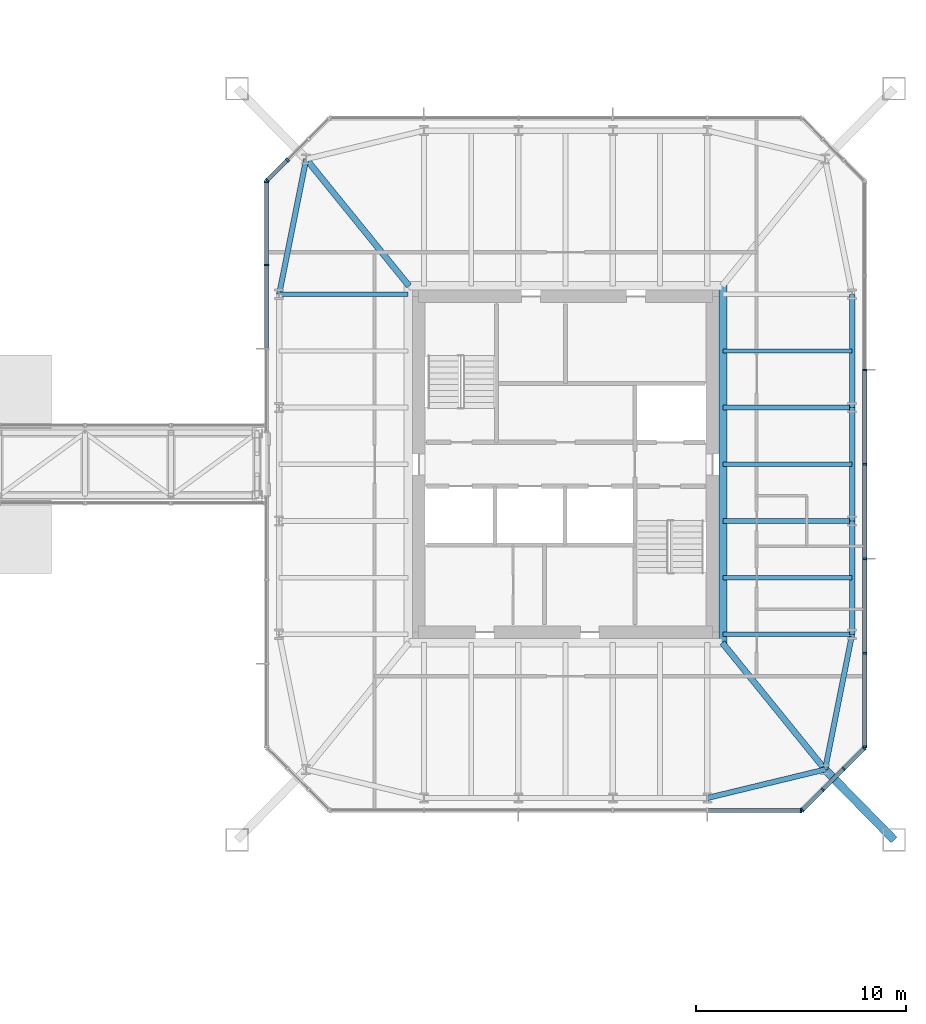
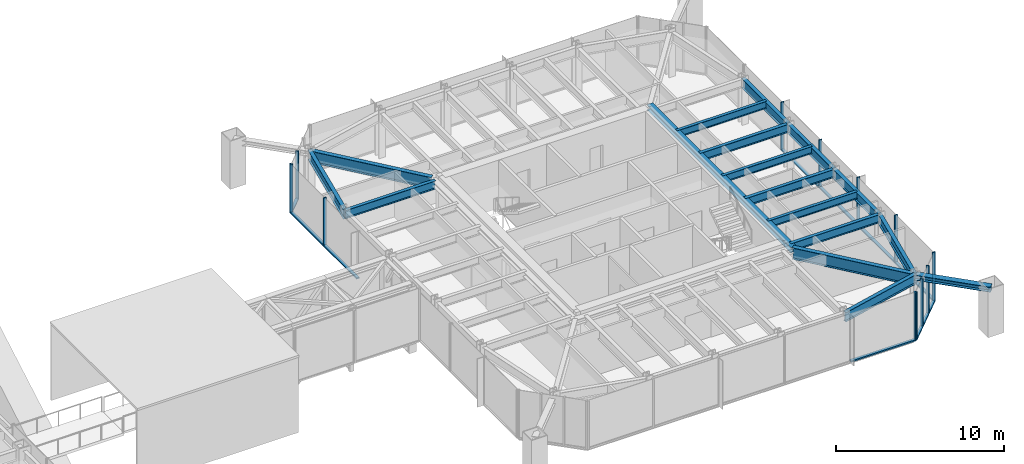
# One storey, part 12 of 28: 26 members, 16 beams, 5 elements without a shape of their own.
"""IFC4 building model written with IfcOpenShell, lengths in metres."""

from ifc_helpers import new_model, si_unit, direction, frame, origin, origin_2d, place, context, subcontext, project, spatial, rectangle, i_section, extrude, material, material_profile, profile_set, type_object, element, aggregate, save


model = new_model("IFC4")

# Units and contexts
model_context = context("Model", 3, precision=1e-05, world=origin(), true_north=direction((0.0, 1.0)))
body_context = subcontext(model_context, "Body", "Model", "MODEL_VIEW")
ifc_project = project(units=[si_unit("LENGTHUNIT", "METRE"), si_unit("AREAUNIT", "SQUARE_METRE"), si_unit("VOLUMEUNIT", "CUBIC_METRE"), si_unit("PLANEANGLEUNIT", "RADIAN"), si_unit("MASSUNIT", "GRAM", prefix="KILO")], contexts=[model_context])

# Site, building, storey
site_placement = place(None, origin())
site = spatial("IfcSite", under=ifc_project, at=site_placement, CompositionType="ELEMENT")
building_placement = place(site_placement, origin())
building = spatial("IfcBuilding", under=site, at=building_placement, Name="Iwan Alto Co-Living Towers", CompositionType="ELEMENT")
storey_placement = place(building_placement, frame((0.0, 0.0, 98.0)))
storey = spatial("IfcBuildingStorey", under=building, at=storey_placement, Name="L26", CompositionType="ELEMENT", Elevation=98.0)

# Curtain wall, member
ifc_material_1 = material(Name="Bronze aluminium unitised frame", Category="aluminium")
curtain_wall_type_1 = type_object("IfcCurtainWallType", Name="CURTAIN WALL CW-C", PredefinedType="NOTDEFINED", material=ifc_material_1)
curtain_wall_1_placement = place(storey_placement, origin())
curtain_wall_1 = element("IfcCurtainWall", 1, at=curtain_wall_1_placement, inside=storey, type_object=curtain_wall_type_1, Name="T2 curtain wall S L26", PredefinedType="NOTDEFINED")
ifc_material_2 = material(Name="Aluminium 6063-T6 bronze anodised", Category="aluminium")
ifc_material_profile_1 = material_profile(ifc_material_2, rectangle(XDim=0.199951171875, YDim=0.080078125, at=origin_2d()), Name="AL 80X200")
ifc_profile_set_1 = profile_set([ifc_material_profile_1], Name="Aluminium 6063-T6 bronze anodised")
member_type_1 = type_object("IfcMemberType", Name="CW-C MULLION 80X200", PredefinedType="MULLION", material=ifc_profile_set_1)
member_1_placement = place(storey_placement, frame((74.2099609375, -16.5, 0.0), z_axis=(0.0, 0.0, 1.0), x_axis=(0.0, 1.0, 0.0)))
member_1 = element("IfcMember", 2, at=member_1_placement, type_object=member_type_1, Name="CW-C mullion 6", PredefinedType="MULLION", context=body_context, shape_type="SweptSolid", body=[
    extrude(rectangle(XDim=0.199951171875, YDim=0.080078125, at=origin_2d()), origin(), (0.0, 0.0, 1.0), 3.5),
])

# Curtain wall, members
curtain_wall_2_placement = place(storey_placement, origin())
curtain_wall_2 = element("IfcCurtainWall", 3, at=curtain_wall_2_placement, inside=storey, type_object=curtain_wall_type_1, Name="T2 curtain wall E L26", PredefinedType="NOTDEFINED")
member_2_placement = place(storey_placement, frame((77.25, -13.4599609375, 0.0), z_axis=(0.0, 0.0, 1.0), x_axis=(-1.0, 0.0, 0.0)))
member_2 = element("IfcMember", 4, at=member_2_placement, type_object=member_type_1, Name="CW-C mullion 1", PredefinedType="MULLION", context=body_context, shape_type="SweptSolid", body=[
    extrude(rectangle(XDim=0.199951171875, YDim=0.080078125, at=origin_2d()), origin(), (0.0, 0.0, 1.0), 3.5),
])
member_3_placement = place(storey_placement, frame((77.25, -9.0, 0.0), z_axis=(0.0, 0.0, 1.0), x_axis=(-1.0, 0.0, 0.0)))
member_3 = element("IfcMember", 5, at=member_3_placement, type_object=member_type_1, Name="CW-C mullion 2", PredefinedType="MULLION", context=body_context, shape_type="SweptSolid", body=[
    extrude(rectangle(XDim=0.199951171875, YDim=0.080078125, at=origin_2d()), origin(), (0.0, 0.0, 1.0), 3.5),
])
member_4_placement = place(storey_placement, frame((77.25, -4.5, 0.0), z_axis=(0.0, 0.0, 1.0), x_axis=(-1.0, 0.0, 0.0)))
member_4 = element("IfcMember", 6, at=member_4_placement, type_object=member_type_1, Name="CW-C mullion 3", PredefinedType="MULLION", context=body_context, shape_type="SweptSolid", body=[
    extrude(rectangle(XDim=0.199951171875, YDim=0.080078125, at=origin_2d()), origin(), (0.0, 0.0, 1.0), 3.5),
])
member_5_placement = place(storey_placement, frame((77.25, 0.0, 0.0), z_axis=(0.0, 0.0, 1.0), x_axis=(-1.0, 0.0, 0.0)))
member_5 = element("IfcMember", 7, at=member_5_placement, type_object=member_type_1, Name="CW-C mullion 4", PredefinedType="MULLION", context=body_context, shape_type="SweptSolid", body=[
    extrude(rectangle(XDim=0.199951171875, YDim=0.080078125, at=origin_2d()), origin(), (0.0, 0.0, 1.0), 3.5),
])
member_6_placement = place(storey_placement, frame((77.25, 4.5, 0.0), z_axis=(0.0, 0.0, 1.0), x_axis=(-1.0, 0.0, 0.0)))
member_6 = element("IfcMember", 8, at=member_6_placement, type_object=member_type_1, Name="CW-C mullion 5", PredefinedType="MULLION", context=body_context, shape_type="SweptSolid", body=[
    extrude(rectangle(XDim=0.199951171875, YDim=0.080078125, at=origin_2d()), origin(), (0.0, 0.0, 1.0), 3.5),
])

curtain_wall_3_placement = place(storey_placement, origin())
curtain_wall_3 = element("IfcCurtainWall", 9, at=curtain_wall_3_placement, inside=storey, type_object=curtain_wall_type_1, Name="T2 curtain wall W L26 part 1", PredefinedType="NOTDEFINED")
member_7_placement = place(storey_placement, frame((48.75, 13.4599609375, 0.0), z_axis=(0.0, 0.0, 1.0), x_axis=(1.0, 0.0, 0.0)))
member_7 = element("IfcMember", 10, at=member_7_placement, type_object=member_type_1, Name="CW-C mullion 1", PredefinedType="MULLION", context=body_context, shape_type="SweptSolid", body=[
    extrude(rectangle(XDim=0.199951171875, YDim=0.080078125, at=origin_2d()), origin(), (0.0, 0.0, 1.0), 3.5),
])
member_8_placement = place(storey_placement, frame((48.75, 9.5, 0.0), z_axis=(0.0, 0.0, 1.0), x_axis=(1.0, 0.0, 0.0)))
member_8 = element("IfcMember", 11, at=member_8_placement, type_object=member_type_1, Name="CW-C mullion 2", PredefinedType="MULLION", context=body_context, shape_type="SweptSolid", body=[
    extrude(rectangle(XDim=0.199951171875, YDim=0.080078125, at=origin_2d()), origin(), (0.0, 0.0, 1.0), 3.5),
])

# Member
ifc_material_3 = material(Name="Aluminium 6063-T6 bronze anodised", Category="aluminium")
ifc_material_profile_2 = material_profile(ifc_material_3, rectangle(XDim=0.199951171875, YDim=0.10009765625, at=origin_2d()), Name="AL 200X100")
ifc_profile_set_2 = profile_set([ifc_material_profile_2], Name="Aluminium 6063-T6 bronze anodised")
member_type_2 = type_object("IfcMemberType", Name="CW-C TRANSOM 200X100", PredefinedType="USERDEFINED", material=ifc_profile_set_2)
member_9_placement = place(storey_placement, frame((69.7900390625, -16.5, 0.050048828125), z_axis=(1.0, 0.0, 0.0), x_axis=(0.0, 1.0, 0.0)))
member_9 = element("IfcMember", 12, at=member_9_placement, type_object=member_type_2, Name="CW-C transom 5.1", ObjectType="TRANSOM", PredefinedType="USERDEFINED", context=body_context, shape_type="SweptSolid", body=[
    extrude(rectangle(XDim=0.199951171875, YDim=0.10009765625, at=origin_2d()), origin(), (0.0, 0.0, 1.0), 4.3798828125),
])

aggregate(curtain_wall_1, [member_1, member_9])

member_10_placement = place(storey_placement, frame((77.25, -13.419921875, 0.050048828125), z_axis=(0.0, 1.0, 0.0), x_axis=(-1.0, 0.0, 0.0)))
member_10 = element("IfcMember", 13, at=member_10_placement, type_object=member_type_2, Name="CW-C transom 1.1", ObjectType="TRANSOM", PredefinedType="USERDEFINED", context=body_context, shape_type="SweptSolid", body=[
    extrude(rectangle(XDim=0.199951171875, YDim=0.10009765625, at=origin_2d()), origin(), (0.0, 0.0, 1.0), 4.3798828125),
])

member_11_placement = place(storey_placement, frame((77.25, -8.9599609375, 0.050048828125), z_axis=(0.0, 1.0, 0.0), x_axis=(-1.0, 0.0, 0.0)))
member_11 = element("IfcMember", 14, at=member_11_placement, type_object=member_type_2, Name="CW-C transom 2.1", ObjectType="TRANSOM", PredefinedType="USERDEFINED", context=body_context, shape_type="SweptSolid", body=[
    extrude(rectangle(XDim=0.199951171875, YDim=0.10009765625, at=origin_2d()), origin(), (0.0, 0.0, 1.0), 4.419921875),
])

member_12_placement = place(storey_placement, frame((77.25, -4.4599609375, 0.050048828125), z_axis=(0.0, 1.0, 0.0), x_axis=(-1.0, 0.0, 0.0)))
member_12 = element("IfcMember", 15, at=member_12_placement, type_object=member_type_2, Name="CW-C transom 3.1", ObjectType="TRANSOM", PredefinedType="USERDEFINED", context=body_context, shape_type="SweptSolid", body=[
    extrude(rectangle(XDim=0.199951171875, YDim=0.10009765625, at=origin_2d()), origin(), (0.0, 0.0, 1.0), 4.419921875),
])

member_13_placement = place(storey_placement, frame((77.25, 0.0400390625, 0.050048828125), z_axis=(0.0, 1.0, 0.0), x_axis=(-1.0, 0.0, 0.0)))
member_13 = element("IfcMember", 16, at=member_13_placement, type_object=member_type_2, Name="CW-C transom 4.1", ObjectType="TRANSOM", PredefinedType="USERDEFINED", context=body_context, shape_type="SweptSolid", body=[
    extrude(rectangle(XDim=0.199951171875, YDim=0.10009765625, at=origin_2d()), origin(), (0.0, 0.0, 1.0), 4.419921875),
])

aggregate(curtain_wall_2, [member_2, member_3, member_4, member_5, member_6, member_10, member_11, member_12, member_13])

member_14_placement = place(storey_placement, frame((48.75, 13.419921875, 0.050048828125), z_axis=(0.0, -1.0, 0.0), x_axis=(1.0, 0.0, 0.0)))
member_14 = element("IfcMember", 17, at=member_14_placement, type_object=member_type_2, Name="CW-C transom 1.1", ObjectType="TRANSOM", PredefinedType="USERDEFINED", context=body_context, shape_type="SweptSolid", body=[
    extrude(rectangle(XDim=0.199951171875, YDim=0.10009765625, at=origin_2d()), origin(), (0.0, 0.0, 1.0), 3.8798828125),
])

member_15_placement = place(storey_placement, frame((48.75, 9.4599609375, 0.050048828125), z_axis=(0.0, -1.0, 0.0), x_axis=(1.0, 0.0, 0.0)))
member_15 = element("IfcMember", 18, at=member_15_placement, type_object=member_type_2, Name="CW-C transom 2.1", ObjectType="TRANSOM", PredefinedType="USERDEFINED", context=body_context, shape_type="SweptSolid", body=[
    extrude(rectangle(XDim=0.199951171875, YDim=0.10009765625, at=origin_2d()), origin(), (0.0, 0.0, 1.0), 3.919921875),
])

aggregate(curtain_wall_3, [member_7, member_8, member_14, member_15])

# Curtain wall, members
ifc_material_4 = material(Name="Bronze aluminium unitised frame", Category="aluminium")
curtain_wall_type_2 = type_object("IfcCurtainWallType", Name="CURTAIN WALL CW-D", PredefinedType="NOTDEFINED", material=ifc_material_4)
curtain_wall_4_placement = place(storey_placement, origin())
curtain_wall_4 = element("IfcCurtainWall", 19, at=curtain_wall_4_placement, inside=storey, type_object=curtain_wall_type_2, Name="T2 chamfer curtain wall SE L26", PredefinedType="NOTDEFINED")
ifc_material_5 = material(Name="Aluminium 6063-T6 bronze anodised", Category="aluminium")
ifc_material_profile_3 = material_profile(ifc_material_5, rectangle(XDim=0.199951171875, YDim=0.080078125, at=origin_2d()), Name="AL 80X200")
ifc_profile_set_3 = profile_set([ifc_material_profile_3], Name="Aluminium 6063-T6 bronze anodised")
member_type_3 = type_object("IfcMemberType", Name="CW-D MULLION 80X200", PredefinedType="MULLION", material=ifc_profile_set_3)
member_16_placement = place(storey_placement, frame((74.2783203125, -16.4716796875, 0.0), z_axis=(0.0, 0.0, 1.0), x_axis=(-0.707106781187, 0.707106781187, 0.0)))
member_16 = element("IfcMember", 20, at=member_16_placement, type_object=member_type_3, Name="CW-D mullion 1", PredefinedType="MULLION", context=body_context, shape_type="SweptSolid", body=[
    extrude(rectangle(XDim=0.199951171875, YDim=0.080078125, at=origin_2d()), origin(), (0.0, 0.0, 1.0), 3.5),
])
member_17_placement = place(storey_placement, frame((75.25, -15.5, 0.0), z_axis=(0.0, 0.0, 1.0), x_axis=(-0.707106781187, 0.707106781187, 0.0)))
member_17 = element("IfcMember", 21, at=member_17_placement, type_object=member_type_3, Name="CW-D mullion 2", PredefinedType="MULLION", context=body_context, shape_type="SweptSolid", body=[
    extrude(rectangle(XDim=0.199951171875, YDim=0.080078125, at=origin_2d()), origin(), (0.0, 0.0, 1.0), 3.5),
])
member_18_placement = place(storey_placement, frame((76.25, -14.5, 0.0), z_axis=(0.0, 0.0, 1.0), x_axis=(-0.707106781187, 0.707106781187, 0.0)))
member_18 = element("IfcMember", 22, at=member_18_placement, type_object=member_type_3, Name="CW-D mullion 3", PredefinedType="MULLION", context=body_context, shape_type="SweptSolid", body=[
    extrude(rectangle(XDim=0.199951171875, YDim=0.080078125, at=origin_2d()), origin(), (0.0, 0.0, 1.0), 3.5),
])
member_19_placement = place(storey_placement, frame((77.2216796875, -13.5283203125, 0.0), z_axis=(0.0, 0.0, 1.0), x_axis=(-0.707106781187, 0.707106781187, 0.0)))
member_19 = element("IfcMember", 23, at=member_19_placement, type_object=member_type_3, Name="CW-D mullion 4", PredefinedType="MULLION", context=body_context, shape_type="SweptSolid", body=[
    extrude(rectangle(XDim=0.199951171875, YDim=0.080078125, at=origin_2d()), origin(), (0.0, 0.0, 1.0), 3.5),
])

curtain_wall_5_placement = place(storey_placement, origin())
curtain_wall_5 = element("IfcCurtainWall", 24, at=curtain_wall_5_placement, inside=storey, type_object=curtain_wall_type_2, Name="T2 chamfer curtain wall NW L26", PredefinedType="NOTDEFINED")
member_20_placement = place(storey_placement, frame((49.75, 14.5, 0.0), z_axis=(0.0, 0.0, 1.0), x_axis=(0.707106781187, -0.707106781187, 0.0)))
member_20 = element("IfcMember", 25, at=member_20_placement, type_object=member_type_3, Name="CW-D mullion 3", PredefinedType="MULLION", context=body_context, shape_type="SweptSolid", body=[
    extrude(rectangle(XDim=0.199951171875, YDim=0.080078125, at=origin_2d()), origin(), (0.0, 0.0, 1.0), 3.5),
])
member_21_placement = place(storey_placement, frame((48.7783203125, 13.5283203125, 0.0), z_axis=(0.0, 0.0, 1.0), x_axis=(0.707106781187, -0.707106781187, 0.0)))
member_21 = element("IfcMember", 26, at=member_21_placement, type_object=member_type_3, Name="CW-D mullion 4", PredefinedType="MULLION", context=body_context, shape_type="SweptSolid", body=[
    extrude(rectangle(XDim=0.199951171875, YDim=0.080078125, at=origin_2d()), origin(), (0.0, 0.0, 1.0), 3.5),
])

# Member
ifc_material_6 = material(Name="Aluminium 6063-T6 bronze anodised", Category="aluminium")
ifc_material_profile_4 = material_profile(ifc_material_6, rectangle(XDim=0.199951171875, YDim=0.10009765625, at=origin_2d()), Name="AL 200X100")
ifc_profile_set_4 = profile_set([ifc_material_profile_4], Name="Aluminium 6063-T6 bronze anodised")
member_type_4 = type_object("IfcMemberType", Name="CW-D TRANSOM 200X100", PredefinedType="USERDEFINED", material=ifc_profile_set_4)
member_22_placement = place(storey_placement, frame((74.306640625, -16.443359375, 0.050048828125), z_axis=(0.707106781187, 0.707106781187, 0.0), x_axis=(-0.707106781187, 0.707106781187, 0.0)))
member_22 = element("IfcMember", 27, at=member_22_placement, type_object=member_type_4, Name="CW-D transom 1.1", ObjectType="TRANSOM", PredefinedType="USERDEFINED", context=body_context, shape_type="SweptSolid", body=[
    extrude(rectangle(XDim=0.199951171875, YDim=0.10009765625, at=origin_2d()), origin(), (0.0, 0.0, 1.0), 1.2939453125),
])

member_23_placement = place(storey_placement, frame((75.2783203125, -15.4716796875, 0.050048828125), z_axis=(0.707106781187, 0.707106781187, 0.0), x_axis=(-0.707106781187, 0.707106781187, 0.0)))
member_23 = element("IfcMember", 28, at=member_23_placement, type_object=member_type_4, Name="CW-D transom 2.1", ObjectType="TRANSOM", PredefinedType="USERDEFINED", context=body_context, shape_type="SweptSolid", body=[
    extrude(rectangle(XDim=0.199951171875, YDim=0.10009765625, at=origin_2d()), origin(), (0.0, 0.0, 1.0), 1.334228515625),
])

member_24_placement = place(storey_placement, frame((76.2783203125, -14.4716796875, 0.050048828125), z_axis=(0.707106781187, 0.707106781187, 0.0), x_axis=(-0.707106781187, 0.707106781187, 0.0)))
member_24 = element("IfcMember", 29, at=member_24_placement, type_object=member_type_4, Name="CW-D transom 3.1", ObjectType="TRANSOM", PredefinedType="USERDEFINED", context=body_context, shape_type="SweptSolid", body=[
    extrude(rectangle(XDim=0.199951171875, YDim=0.10009765625, at=origin_2d()), origin(), (0.0, 0.0, 1.0), 1.2939453125),
])

aggregate(curtain_wall_4, [member_16, member_17, member_18, member_19, member_22, member_23, member_24])

member_25_placement = place(storey_placement, frame((49.7216796875, 14.4716796875, 0.050048828125), z_axis=(-0.707106781187, -0.707106781187, 0.0), x_axis=(0.707106781187, -0.707106781187, 0.0)))
member_25 = element("IfcMember", 30, at=member_25_placement, type_object=member_type_4, Name="CW-D transom 3.1", ObjectType="TRANSOM", PredefinedType="USERDEFINED", context=body_context, shape_type="SweptSolid", body=[
    extrude(rectangle(XDim=0.199951171875, YDim=0.10009765625, at=origin_2d()), origin(), (0.0, 0.0, 1.0), 1.2939453125),
])

aggregate(curtain_wall_5, [member_20, member_21, member_25])

# Beams
ifc_material_7 = material(Name="Steel ASTM A992 Gr 50", Category="steel")
ifc_material_profile_5 = material_profile(ifc_material_7, i_section(OverallWidth=0.398681640625, OverallDepth=0.385986328125, WebThickness=0.02099609375, FlangeThickness=0.033203125, at=origin_2d()), Name="W14X176")
ifc_profile_set_5 = profile_set([ifc_material_profile_5], Name="Steel ASTM A992 Gr 50")
beam_type_1 = type_object("IfcBeamType", Name="T2 CORE LEDGER BEAM W14X176", PredefinedType="BEAM", material=ifc_profile_set_5)
beam_1_placement = place(storey_placement, frame((70.49951171875, -8.5458984375, 3.076904296875), z_axis=(0.0, 1.0, 0.0), x_axis=(-1.0, 0.0, 0.0)))
element("IfcBeam", 31, at=beam_1_placement, inside=storey, type_object=beam_type_1, Name="T2 core ledger beam E L27", PredefinedType="BEAM", context=body_context, shape_type="SweptSolid", body=[
    extrude(i_section(OverallWidth=0.398681640625, OverallDepth=0.385986328125, WebThickness=0.02099609375, FlangeThickness=0.033203125, at=origin_2d()), origin(), (0.0, 0.0, 1.0), 17.091796875),
])
ifc_material_8 = material(Name="Steel ASTM A992 Gr 50", Category="steel")
ifc_material_profile_6 = material_profile(ifc_material_8, i_section(OverallWidth=0.2919921875, OverallDepth=0.8408203125, WebThickness=0.0146484375, FlangeThickness=0.021728515625, at=origin_2d()), Name="W33X130")
ifc_profile_set_6 = profile_set([ifc_material_profile_6], Name="Steel ASTM A992 Gr 50")
beam_type_2 = type_object("IfcBeamType", Name="T2 CORNER GIRDER W33X130", PredefinedType="BEAM", material=ifc_profile_set_6)
for number, where, z_axis, x_axis, name in (
    (32, (75.361328125, -14.542724609375, 2.849609375), (-0.629783024592, 0.776771100091, 0.0), (-0.776771100091, -0.629783024592, 0.0), "T2 corner girder CSE L27"),
    (33, (50.638671875, 14.542724609375, 2.849609375), (0.629783024592, -0.776771100091, 0.0), (0.776771100091, 0.629783024592, 0.0), "T2 corner girder CNW L27"),
):
    element("IfcBeam", number, at=place(storey_placement, frame(where, z_axis=z_axis, x_axis=x_axis)), inside=storey, type_object=beam_type_2, Name=name, PredefinedType="BEAM", context=body_context, shape_type="SweptSolid", body=[
        extrude(i_section(OverallWidth=0.2919921875, OverallDepth=0.8408203125, WebThickness=0.0146484375, FlangeThickness=0.021728515625, at=origin_2d()), origin(), (0.0, 0.0, 1.0), 7.780029296875),
    ])
ifc_material_9 = material(Name="Steel ASTM A992 Gr 50", Category="steel")
ifc_material_profile_7 = material_profile(ifc_material_9, i_section(OverallWidth=0.25390625, OverallDepth=0.683349609375, WebThickness=0.012451171875, FlangeThickness=0.018798828125, at=origin_2d()), Name="W27X94")
ifc_profile_set_7 = profile_set([ifc_material_profile_7], Name="Steel ASTM A992 Gr 50")
beam_type_3 = type_object("IfcBeamType", Name="T2 EDGE BEAM W27X94", PredefinedType="BEAM", material=ifc_profile_set_7)
beam_2_placement = place(storey_placement, frame((69.75, -15.89990234375, 2.928466796875), z_axis=(0.971974673138, 0.235085590323, 0.0), x_axis=(-0.235085590323, 0.971974673138, 0.0)))
element("IfcBeam", 34, at=beam_2_placement, inside=storey, type_object=beam_type_3, Name="T2 edge beam S4 L27", PredefinedType="BEAM", context=body_context, shape_type="SweptSolid", body=[
    extrude(i_section(OverallWidth=0.25390625, OverallDepth=0.683349609375, WebThickness=0.012451171875, FlangeThickness=0.018798828125, at=origin_2d()), origin(), (0.0, 0.0, 1.0), 5.773193359375),
])
beam_3_placement = place(storey_placement, frame((75.361328125, -14.542724609375, 2.928466796875), z_axis=(0.196123281025, 0.980579246487, 0.0), x_axis=(-0.980579246487, 0.196123281025, 0.0)))
element("IfcBeam", 35, at=beam_3_placement, inside=storey, type_object=beam_type_3, Name="T2 edge beam CSE L27", PredefinedType="BEAM", context=body_context, shape_type="SweptSolid", body=[
    extrude(i_section(OverallWidth=0.25390625, OverallDepth=0.683349609375, WebThickness=0.012451171875, FlangeThickness=0.018798828125, at=origin_2d()), origin(), (0.0, 0.0, 1.0), 6.5703125),
])
beam_4_placement = place(storey_placement, frame((76.64990234375, -8.10009765625, 2.928466796875), z_axis=(0.0, 1.0, 0.0), x_axis=(-1.0, 0.0, 0.0)))
element("IfcBeam", 36, at=beam_4_placement, inside=storey, type_object=beam_type_3, Name="T2 edge beam E1 L27", PredefinedType="BEAM", context=body_context, shape_type="SweptSolid", body=[
    extrude(i_section(OverallWidth=0.25390625, OverallDepth=0.683349609375, WebThickness=0.012451171875, FlangeThickness=0.018798828125, at=origin_2d()), origin(), (0.0, 0.0, 1.0), 5.400146484375),
])
beam_5_placement = place(storey_placement, frame((76.64990234375, -2.699951171875, 2.928466796875), z_axis=(0.0, 1.0, 0.0), x_axis=(-1.0, 0.0, 0.0)))
element("IfcBeam", 37, at=beam_5_placement, inside=storey, type_object=beam_type_3, Name="T2 edge beam E2 L27", PredefinedType="BEAM", context=body_context, shape_type="SweptSolid", body=[
    extrude(i_section(OverallWidth=0.25390625, OverallDepth=0.683349609375, WebThickness=0.012451171875, FlangeThickness=0.018798828125, at=origin_2d()), origin(), (0.0, 0.0, 1.0), 5.39990234375),
])
beam_6_placement = place(storey_placement, frame((76.64990234375, 2.699951171875, 2.928466796875), z_axis=(0.0, 1.0, 0.0), x_axis=(-1.0, 0.0, 0.0)))
element("IfcBeam", 38, at=beam_6_placement, inside=storey, type_object=beam_type_3, Name="T2 edge beam E3 L27", PredefinedType="BEAM", context=body_context, shape_type="SweptSolid", body=[
    extrude(i_section(OverallWidth=0.25390625, OverallDepth=0.683349609375, WebThickness=0.012451171875, FlangeThickness=0.018798828125, at=origin_2d()), origin(), (0.0, 0.0, 1.0), 5.400146484375),
])
beam_7_placement = place(storey_placement, frame((50.638671875, 14.542724609375, 2.928466796875), z_axis=(-0.196123281025, -0.980579246487, 0.0), x_axis=(0.980579246487, -0.196123281025, 0.0)))
element("IfcBeam", 39, at=beam_7_placement, inside=storey, type_object=beam_type_3, Name="T2 edge beam CNW L27", PredefinedType="BEAM", context=body_context, shape_type="SweptSolid", body=[
    extrude(i_section(OverallWidth=0.25390625, OverallDepth=0.683349609375, WebThickness=0.012451171875, FlangeThickness=0.018798828125, at=origin_2d()), origin(), (0.0, 0.0, 1.0), 6.5703125),
])

# Member
ifc_material_10 = material(Name="Steel ASTM A992 Gr 50", Category="steel")
ifc_material_profile_8 = material_profile(ifc_material_10, i_section(OverallWidth=0.393798828125, OverallDepth=0.3759765625, WebThickness=0.017333984375, FlangeThickness=0.027587890625, at=origin_2d()), Name="W14X145")
ifc_profile_set_8 = profile_set([ifc_material_profile_8], Name="Steel ASTM A992 Gr 50")
member_type_5 = type_object("IfcMemberType", Name="T2 MEGA COLUMN FLOOR TIE W14X145", PredefinedType="STRUT", material=ifc_profile_set_8)
member_26_placement = place(storey_placement, frame((78.64990234375, -17.89990234375, 3.08203125), z_axis=(-0.699770096147, 0.714368121166, 0.0), x_axis=(-0.714368121166, -0.699770096147, 0.0)))
element("IfcMember", 40, at=member_26_placement, inside=storey, type_object=member_type_5, Name="T2 mega column floor tie SE L27", PredefinedType="STRUT", context=body_context, shape_type="SweptSolid", body=[
    extrude(i_section(OverallWidth=0.393798828125, OverallDepth=0.3759765625, WebThickness=0.017333984375, FlangeThickness=0.027587890625, at=origin_2d()), origin(), (0.0, 0.0, 1.0), 4.699462890625),
])

# Beams
ifc_material_11 = material(Name="Steel ASTM A992 Gr 50", Category="steel")
ifc_material_profile_9 = material_profile(ifc_material_11, i_section(OverallWidth=0.228271484375, OverallDepth=0.607177734375, WebThickness=0.01123046875, FlangeThickness=0.017333984375, at=origin_2d()), Name="W24X76")
ifc_profile_set_9 = profile_set([ifc_material_profile_9], Name="Steel ASTM A992 Gr 50")
beam_type_4 = type_object("IfcBeamType", Name="T2 RADIAL BEAM W24X76", PredefinedType="BEAM", material=ifc_profile_set_9)
for number, where, z_axis, x_axis, name in (
    (41, (76.64990234375, -8.10009765625, 2.966552734375), (-1.0, 0.0, 0.0), (0.0, -1.0, 0.0), "T2 radial beam E1 L27"),
    (42, (76.64990234375, -2.699951171875, 2.966552734375), (-1.0, 0.0, 0.0), (0.0, -1.0, 0.0), "T2 radial beam E2 L27"),
    (43, (76.64990234375, 2.699951171875, 2.966552734375), (-1.0, 0.0, 0.0), (0.0, -1.0, 0.0), "T2 radial beam E3 L27"),
    (44, (49.35009765625, 8.10009765625, 2.966552734375), (1.0, 0.0, 0.0), (0.0, 1.0, 0.0), "T2 radial beam W1 L27"),
):
    element("IfcBeam", number, at=place(storey_placement, frame(where, z_axis=z_axis, x_axis=x_axis)), inside=storey, type_object=beam_type_4, Name=name, PredefinedType="BEAM", context=body_context, shape_type="SweptSolid", body=[
        extrude(i_section(OverallWidth=0.228271484375, OverallDepth=0.607177734375, WebThickness=0.01123046875, FlangeThickness=0.017333984375, at=origin_2d()), origin(), (0.0, 0.0, 1.0), 6.150390625),
    ])
ifc_material_12 = material(Name="Steel ASTM A992 Gr 50", Category="steel")
ifc_material_profile_10 = material_profile(ifc_material_12, i_section(OverallWidth=0.209228515625, OverallDepth=0.533447265625, WebThickness=0.01025390625, FlangeThickness=0.015625, at=origin_2d()), Name="W21X62")
ifc_profile_set_10 = profile_set([ifc_material_profile_10], Name="Steel ASTM A992 Gr 50")
beam_type_5 = type_object("IfcBeamType", Name="T2 SECONDARY BEAM W21X62", PredefinedType="JOIST", material=ifc_profile_set_10)
for number, where, z_axis, x_axis, name in (
    (45, (76.64990234375, -5.39990234375, 3.00341796875), (-1.0, 0.0, 0.0), (0.0, -1.0, 0.0), "T2 secondary beam E1 L27"),
    (46, (76.64990234375, 0.0, 3.00341796875), (-1.0, 0.0, 0.0), (0.0, -1.0, 0.0), "T2 secondary beam E2 L27"),
    (47, (76.64990234375, 5.39990234375, 3.00341796875), (-1.0, 0.0, 0.0), (0.0, -1.0, 0.0), "T2 secondary beam E3 L27"),
):
    element("IfcBeam", number, at=place(storey_placement, frame(where, z_axis=z_axis, x_axis=x_axis)), inside=storey, type_object=beam_type_5, Name=name, PredefinedType="JOIST", context=body_context, shape_type="SweptSolid", body=[
        extrude(i_section(OverallWidth=0.209228515625, OverallDepth=0.533447265625, WebThickness=0.01025390625, FlangeThickness=0.015625, at=origin_2d()), origin(), (0.0, 0.0, 1.0), 6.150390625),
    ])

save(model, "model.ifc")
